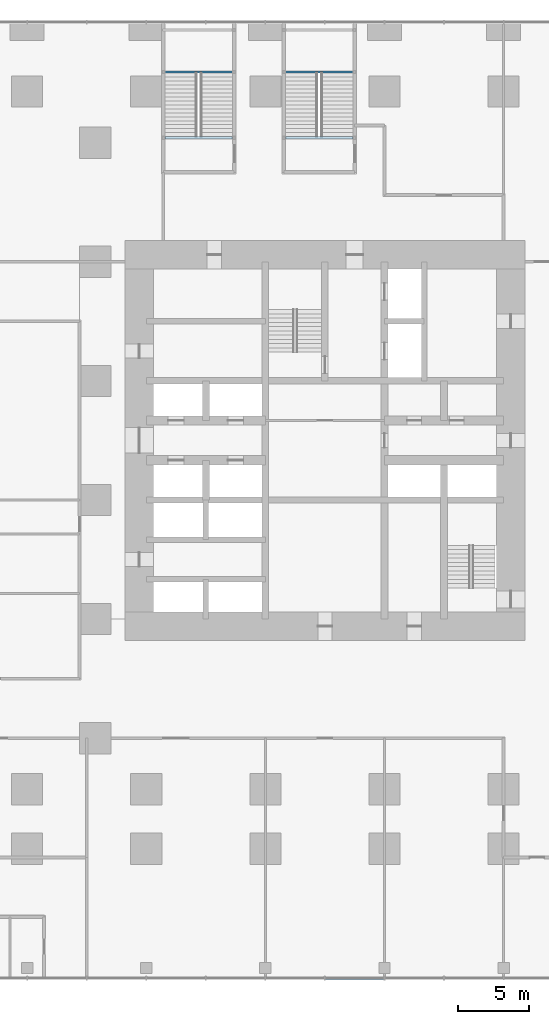
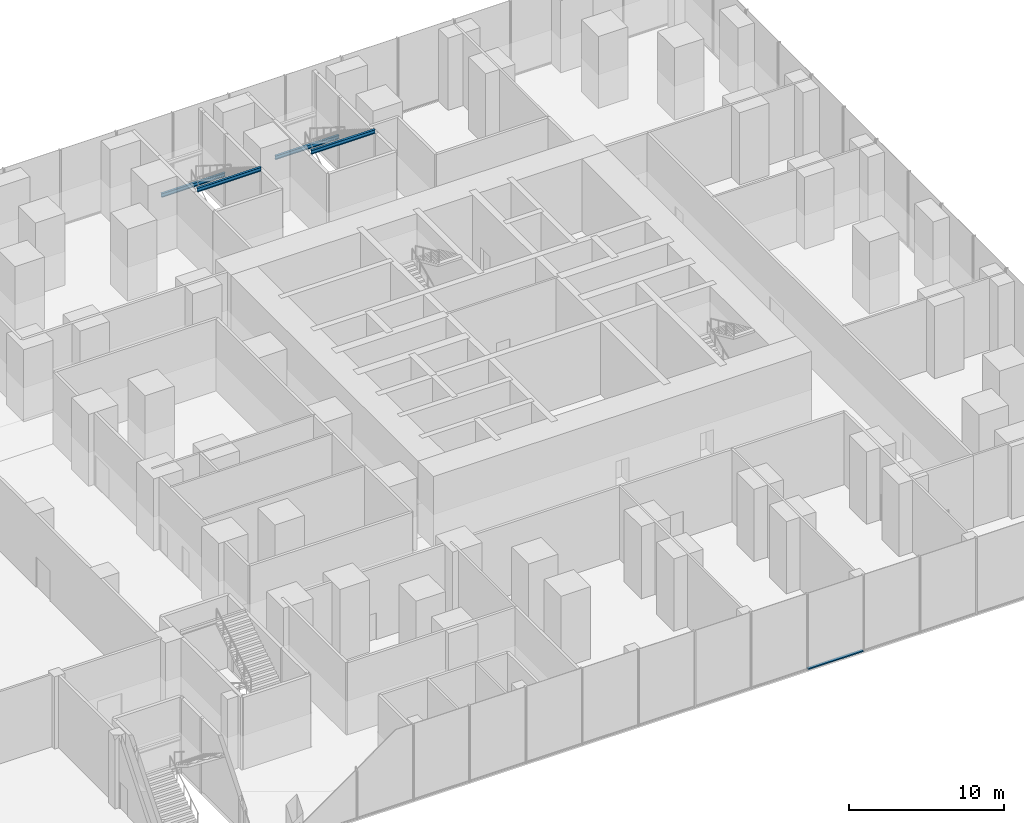
# One storey, part 18 of 32: 4 beams, 1 member, 1 element without a shape of its own.
"""IFC4 building model written with IfcOpenShell, lengths in metres."""

from ifc_helpers import new_model, si_unit, direction, frame, origin, origin_2d, place, context, subcontext, project, spatial, rectangle, i_section, extrude, material, material_profile, profile_set, type_object, element, aggregate, save


model = new_model("IFC4")

# Units and contexts
model_context = context("Model", 3, precision=1e-05, world=origin(), true_north=direction((0.0, 1.0)))
body_context = subcontext(model_context, "Body", "Model", "MODEL_VIEW")
ifc_project = project(units=[si_unit("LENGTHUNIT", "METRE"), si_unit("AREAUNIT", "SQUARE_METRE"), si_unit("VOLUMEUNIT", "CUBIC_METRE"), si_unit("PLANEANGLEUNIT", "RADIAN"), si_unit("MASSUNIT", "GRAM", prefix="KILO")], contexts=[model_context])

# Site, building, storey
site_placement = place(None, origin())
site = spatial("IfcSite", under=ifc_project, at=site_placement, CompositionType="ELEMENT")
building_placement = place(site_placement, origin())
building = spatial("IfcBuilding", under=site, at=building_placement, Name="Dunama Terrace Hotel", CompositionType="ELEMENT")
storey_placement = place(building_placement, frame((0.0, 0.0, 6.0)))
storey = spatial("IfcBuildingStorey", under=building, at=storey_placement, Name="L01", CompositionType="ELEMENT", Elevation=6.0)

# Curtain wall, member
ifc_material_1 = material(Name="Aluminium curtain wall system", Category="aluminium")
curtain_wall_type = type_object("IfcCurtainWallType", Name="Podium storefront glazing CW-E", PredefinedType="NOTDEFINED", material=ifc_material_1)
curtain_wall_placement = place(storey_placement, origin())
curtain_wall = element("IfcCurtainWall", 1, at=curtain_wall_placement, inside=storey, type_object=curtain_wall_type, Name="Podium storefront glazing CW-E L01", PredefinedType="NOTDEFINED")
ifc_material_2 = material(Name="Aluminium transom", Category="aluminium")
ifc_material_profile_1 = material_profile(ifc_material_2, rectangle(XDim=0.199951171875, YDim=0.090087890625, at=origin_2d()), Name="CWE TRANSOM 200X90")
ifc_profile_set_1 = profile_set([ifc_material_profile_1], Name="Aluminium transom")
member_type = type_object("IfcMemberType", Name="CWE transom 200x90", PredefinedType="USERDEFINED", material=ifc_profile_set_1)
member_placement = place(storey_placement, frame((29.43994140625, -8.52490234375, 0.044921875), z_axis=(1.0, 0.0, 0.0), x_axis=(0.0, 1.0, 0.0)))
member = element("IfcMember", 2, at=member_placement, type_object=member_type, Name="CWE transom", ObjectType="TRANSOM", PredefinedType="USERDEFINED", context=body_context, shape_type="SweptSolid", body=[
    extrude(rectangle(XDim=0.199951171875, YDim=0.090087890625, at=origin_2d()), origin(), (0.0, 0.0, 1.0), 4.1201171875),
])
aggregate(curtain_wall, [member])

# Beams
ifc_material_3 = material(Name="Steel S355", Category="steel")
ifc_material_profile_2 = material_profile(ifc_material_3, i_section(OverallWidth=0.1650390625, OverallDepth=0.303466796875, WebThickness=0.006103515625, FlangeThickness=0.01025390625, FilletRadius=0.0087890625, at=origin_2d()), Name="UB 305x165x40")
ifc_profile_set_2 = profile_set([ifc_material_profile_2], Name="Steel S355")
beam_type = type_object("IfcBeamType", Name="Stair beam UB 305x165x40", PredefinedType="BEAM", material=ifc_profile_set_2)
for number, where, z_axis, x_axis, name in (
    (3, (18.125, 50.742431640625, 5.848388671875), (1.0, 0.0, 0.0), (0.0, 1.0, 0.0), "Stair trimmer P5 at L02"),
    (4, (18.125, 55.387451171875, 2.598388671875), (1.0, 0.0, 0.0), (0.0, 1.0, 0.0), "Stair landing beam P5 L01 front"),
    (5, (26.625, 50.742431640625, 5.848388671875), (1.0, 0.0, 0.0), (0.0, 1.0, 0.0), "Stair trimmer P6 at L02"),
    (6, (26.625, 55.387451171875, 2.598388671875), (1.0, 0.0, 0.0), (0.0, 1.0, 0.0), "Stair landing beam P6 L01 front"),
):
    element("IfcBeam", number, at=place(storey_placement, frame(where, z_axis=z_axis, x_axis=x_axis)), inside=storey, type_object=beam_type, Name=name, PredefinedType="BEAM", context=body_context, shape_type="SweptSolid", body=[
        extrude(i_section(OverallWidth=0.1650390625, OverallDepth=0.303466796875, WebThickness=0.006103515625, FlangeThickness=0.01025390625, FilletRadius=0.0087890625, at=origin_2d()), origin(), (0.0, 0.0, 1.0), 4.75),
    ])

save(model, "model.ifc")
